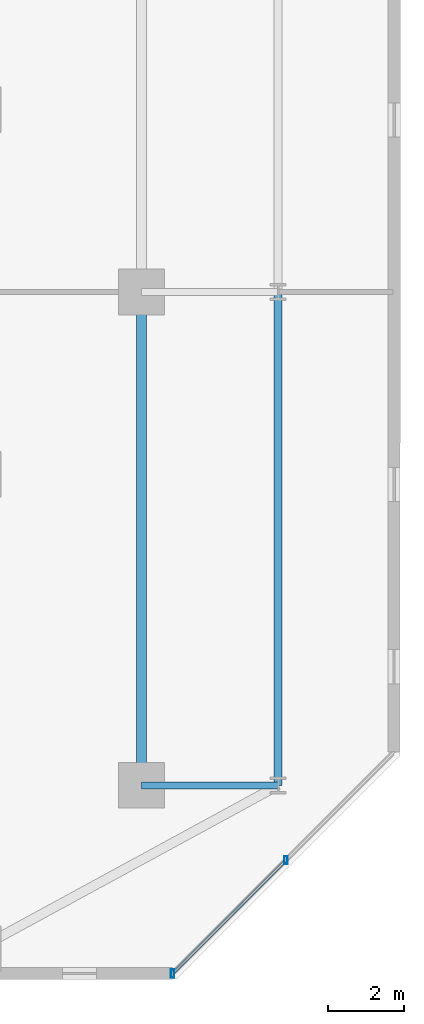
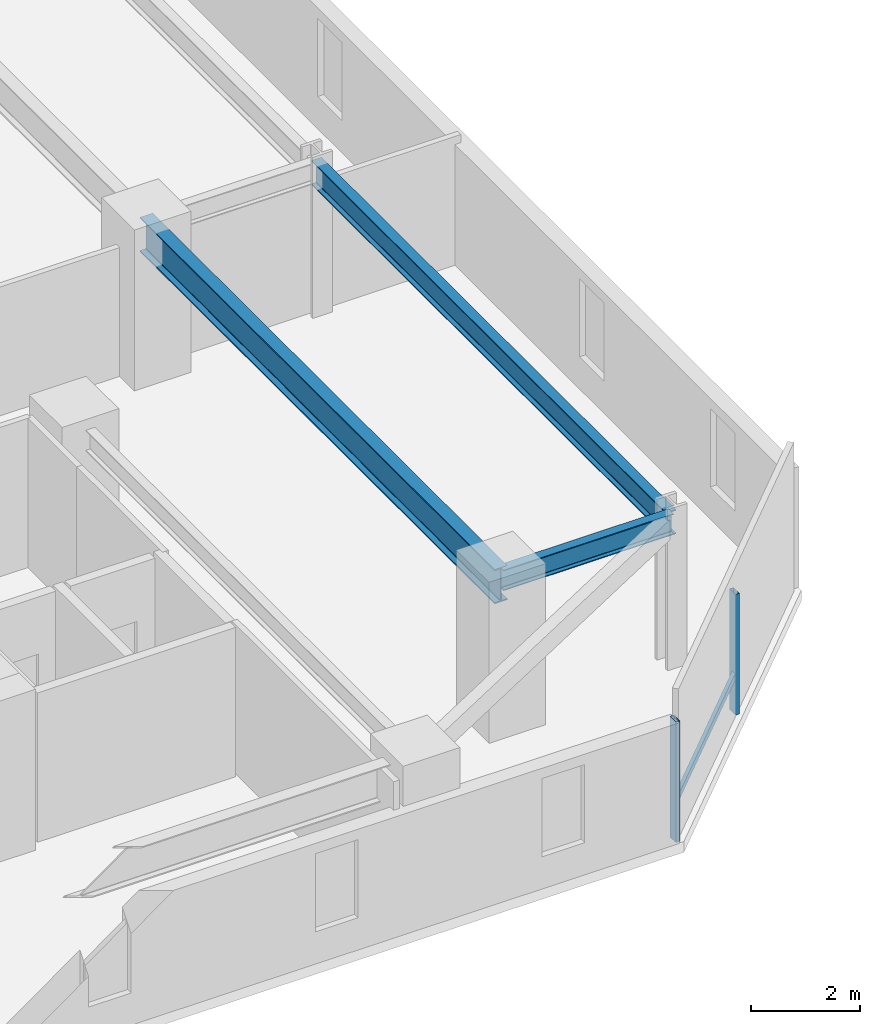
# One storey, part 5 of 30: 3 beams, 3 members, 1 element without a shape of its own.
"""IFC4 building model written with IfcOpenShell, lengths in metres."""

from ifc_helpers import new_model, si_unit, direction, frame, origin, origin_2d, place, context, subcontext, project, spatial, hollow_rectangle, i_section, extrude, material, material_profile, profile_set, type_object, element, aggregate, save


model = new_model("IFC4")

# Units and contexts
model_context = context("Model", 3, precision=1e-05, world=origin(), true_north=direction((0.0, 1.0)))
body_context = subcontext(model_context, "Body", "Model", "MODEL_VIEW")
ifc_project = project(units=[si_unit("LENGTHUNIT", "METRE"), si_unit("AREAUNIT", "SQUARE_METRE"), si_unit("VOLUMEUNIT", "CUBIC_METRE"), si_unit("PLANEANGLEUNIT", "RADIAN"), si_unit("MASSUNIT", "GRAM", prefix="KILO")], contexts=[model_context])

# Site, building, storey
site_placement = place(None, origin())
site = spatial("IfcSite", under=ifc_project, at=site_placement, CompositionType="ELEMENT")
building_placement = place(site_placement, origin())
building = spatial("IfcBuilding", under=site, at=building_placement, Name="Thornwick Lancets Civic Towers", CompositionType="ELEMENT")
storey_placement = place(building_placement, frame((0.0, 0.0, 80.10009765625)))
storey = spatial("IfcBuildingStorey", under=building, at=storey_placement, Name="L20", CompositionType="ELEMENT", Elevation=80.10009765625)

# Beams
ifc_material_1 = material(Name="Steel S355JR", Category="steel")
ifc_material_profile_1 = material_profile(ifc_material_1, i_section(OverallWidth=0.2119140625, OverallDepth=0.54443359375, WebThickness=0.0126953125, FlangeThickness=0.021240234375, FilletRadius=0.0126953125, at=origin_2d()), Name="UKB 533x210x122")
ifc_profile_set_1 = profile_set([ifc_material_profile_1], Name="Steel S355JR")
beam_type_1 = type_object("IfcBeamType", Name="BM_EDGE_533_122", PredefinedType="SPANDREL", material=ifc_profile_set_1)
beam_1_placement = place(storey_placement, frame((46.39990234375, 14.0, 3.087646484375), z_axis=(0.0, 1.0, 0.0), x_axis=(-1.0, 0.0, 0.0)))
element("IfcBeam", 1, at=beam_1_placement, inside=storey, type_object=beam_type_1, Name="BM-EDGE-L20-A-S1-1", PredefinedType="SPANDREL", context=body_context, shape_type="SweptSolid", body=[
    extrude(i_section(OverallWidth=0.2119140625, OverallDepth=0.54443359375, WebThickness=0.0126953125, FlangeThickness=0.021240234375, FilletRadius=0.0126953125, at=origin_2d()), origin(), (0.0, 0.0, 1.0), 13.0),
])
ifc_material_profile_2 = material_profile(ifc_material_1, i_section(OverallWidth=0.26806640625, OverallDepth=0.769775390625, WebThickness=0.015625, FlangeThickness=0.025390625, FilletRadius=0.0166015625, at=origin_2d()), Name="UKB 762x267x197")
ifc_profile_set_2 = profile_set([ifc_material_profile_2], Name="Steel S355JR")
beam_type_2 = type_object("IfcBeamType", Name="BM_GIRD_762_197", PredefinedType="BEAM", material=ifc_profile_set_2)
beam_2_placement = place(storey_placement, frame((42.800048828125, 14.0, 2.97509765625), z_axis=(0.0, 1.0, 0.0), x_axis=(-1.0, 0.0, 0.0)))
element("IfcBeam", 2, at=beam_2_placement, inside=storey, type_object=beam_type_2, Name="BM-SPINE-L20-A-3-4", PredefinedType="BEAM", context=body_context, shape_type="SweptSolid", body=[
    extrude(i_section(OverallWidth=0.26806640625, OverallDepth=0.769775390625, WebThickness=0.015625, FlangeThickness=0.025390625, FilletRadius=0.0166015625, at=origin_2d()), origin(), (0.0, 0.0, 1.0), 13.0),
])
ifc_material_profile_3 = material_profile(ifc_material_1, i_section(OverallWidth=0.19189453125, OverallDepth=0.46337890625, WebThickness=0.010498046875, FlangeThickness=0.017578125, FilletRadius=0.01025390625, at=origin_2d()), Name="UKB 457x191x89")
ifc_profile_set_3 = profile_set([ifc_material_profile_3], Name="Steel S355JR")
beam_type_3 = type_object("IfcBeamType", Name="BM_JOIST_457_89", PredefinedType="JOIST", material=ifc_profile_set_3)
beam_3_placement = place(storey_placement, frame((42.800048828125, 14.0, 3.128173828125), z_axis=(1.0, 0.0, 0.0), x_axis=(0.0, 1.0, 0.0)))
element("IfcBeam", 3, at=beam_3_placement, inside=storey, type_object=beam_type_3, Name="BM-RAD-L20-A04", PredefinedType="JOIST", context=body_context, shape_type="SweptSolid", body=[
    extrude(i_section(OverallWidth=0.19189453125, OverallDepth=0.46337890625, WebThickness=0.010498046875, FlangeThickness=0.017578125, FilletRadius=0.01025390625, at=origin_2d()), origin(), (0.0, 0.0, 1.0), 3.599853515625),
])

# Curtain wall, members
ifc_material_2 = material(Name="Low-zone chamfered-corner unitised glass curtain wall", Category="glass")
curtain_wall_type = type_object("IfcCurtainWallType", Name="CW_SYS_03", PredefinedType="NOTDEFINED", material=ifc_material_2)
curtain_wall_placement = place(storey_placement, origin())
curtain_wall = element("IfcCurtainWall", 4, at=curtain_wall_placement, inside=storey, type_object=curtain_wall_type, Name="L20 Curtain Wall CW-L20-A-E1", PredefinedType="NOTDEFINED")
ifc_material_3 = material(Name="Thermally broken bronze aluminium S355", Category="steel")
ifc_material_profile_4 = material_profile(ifc_material_3, hollow_rectangle(XDim=0.090087890625, YDim=0.219970703125, WallThickness=0.00634765625, at=origin_2d()), Name="RHS 220x90x6.3")
ifc_profile_set_4 = profile_set([ifc_material_profile_4], Name="Thermally broken bronze aluminium S355")
member_type_1 = type_object("IfcMemberType", Name="CW_MUL_220", PredefinedType="MULLION", material=ifc_profile_set_4)
member_1_placement = place(storey_placement, frame((43.62158203125, 9.0458984375, 0.0), z_axis=(0.0, 0.0, 1.0), x_axis=(1.0, 0.0, 0.0)))
member_1 = element("IfcMember", 5, at=member_1_placement, type_object=member_type_1, Name="CW-L20-A-E1 Mullion 0", PredefinedType="MULLION", context=body_context, shape_type="SweptSolid", body=[
    extrude(hollow_rectangle(XDim=0.090087890625, YDim=0.219970703125, WallThickness=0.00634765625, at=origin_2d()), origin(), (0.0, 0.0, 1.0), 2.699951171875),
])
member_2_placement = place(storey_placement, frame((46.60400390625, 12.0283203125, 0.0), z_axis=(0.0, 0.0, 1.0), x_axis=(1.0, 0.0, 0.0)))
member_2 = element("IfcMember", 6, at=member_2_placement, type_object=member_type_1, Name="CW-L20-A-E1 Mullion 1", PredefinedType="MULLION", context=body_context, shape_type="SweptSolid", body=[
    extrude(hollow_rectangle(XDim=0.090087890625, YDim=0.219970703125, WallThickness=0.00634765625, at=origin_2d()), origin(), (0.0, 0.0, 1.0), 2.699951171875),
])
ifc_material_profile_5 = material_profile(ifc_material_3, hollow_rectangle(XDim=0.074951171875, YDim=0.14990234375, WallThickness=0.0048828125, at=origin_2d()), Name="RHS 150x75x5")
ifc_profile_set_5 = profile_set([ifc_material_profile_5], Name="Thermally broken bronze aluminium S355")
member_type_2 = type_object("IfcMemberType", Name="CW_TRN_150", PredefinedType="USERDEFINED", material=ifc_profile_set_5)
member_3_placement = place(storey_placement, frame((43.6357421875, 9.06005859375, 0.849853515625), z_axis=(0.707106781187, 0.707106781187, 0.0), x_axis=(-0.707106781187, 0.707106781187, 0.0)))
member_3 = element("IfcMember", 7, at=member_3_placement, type_object=member_type_2, Name="CW-L20-A-E1 Transom 0", ObjectType="TRANSOM", PredefinedType="USERDEFINED", context=body_context, shape_type="SweptSolid", body=[
    extrude(hollow_rectangle(XDim=0.074951171875, YDim=0.14990234375, WallThickness=0.0048828125, at=origin_2d()), origin(), (0.0, 0.0, 1.0), 4.177734375),
])
aggregate(curtain_wall, [member_1, member_2, member_3])

save(model, "model.ifc")
